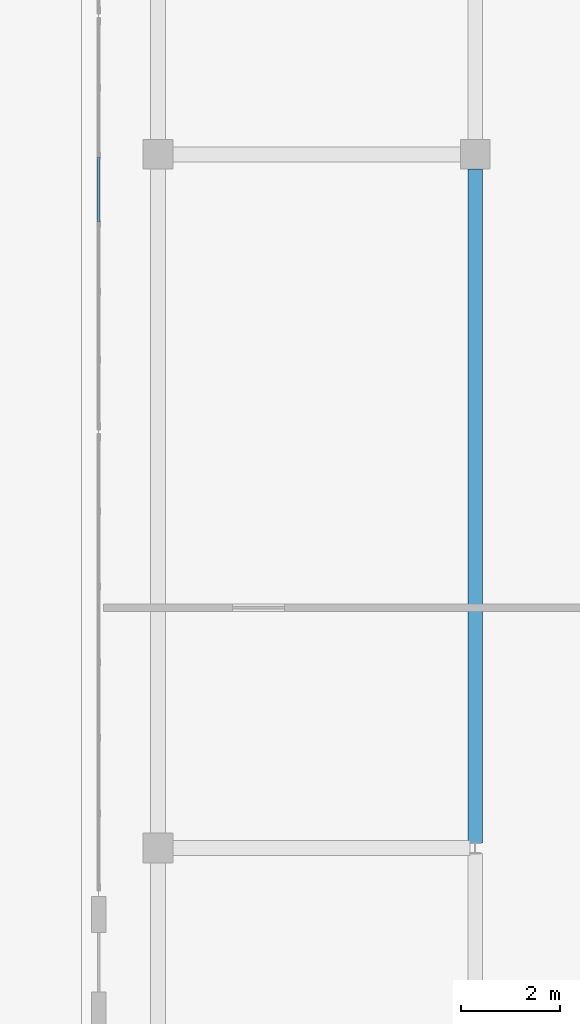
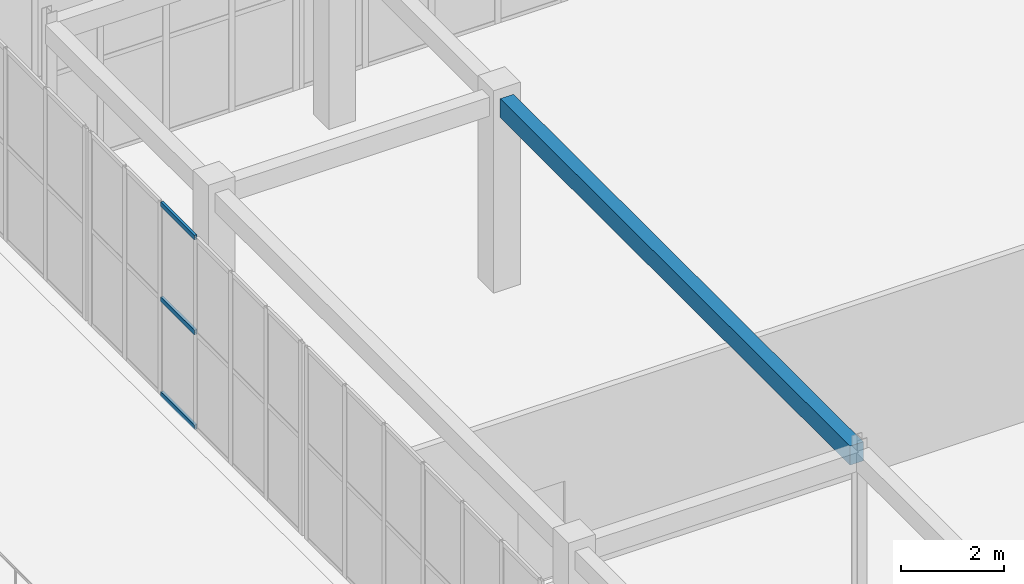
# One storey, part 57 of 158: 3 members, 1 beam, 1 element without a shape of its own.
"""IFC4 building model written with IfcOpenShell, lengths in metres."""

from ifc_helpers import new_model, si_unit, direction, frame, origin, origin_2d, place, context, subcontext, project, spatial, rectangle, hollow_rectangle, extrude, material, layer, layer_set, material_profile, profile_set, type_object, element, aggregate, save


model = new_model("IFC4")

# Units and contexts
model_context = context("Model", 3, precision=1e-05, world=origin(), true_north=direction((0.0, 1.0)))
body_context = subcontext(model_context, "Body", "Model", "MODEL_VIEW")
ifc_project = project(units=[si_unit("LENGTHUNIT", "METRE"), si_unit("AREAUNIT", "SQUARE_METRE"), si_unit("VOLUMEUNIT", "CUBIC_METRE"), si_unit("PLANEANGLEUNIT", "RADIAN"), si_unit("MASSUNIT", "GRAM", prefix="KILO")], contexts=[model_context])

# Site, building, storey
site_placement = place(None, origin())
site = spatial("IfcSite", under=ifc_project, at=site_placement, CompositionType="ELEMENT")
building_placement = place(site_placement, origin())
building = spatial("IfcBuilding", under=site, at=building_placement, Name="Trelvath General Hospital", CompositionType="ELEMENT")
storey_placement = place(building_placement, frame((0.0, 0.0, 8.10009765625)))
storey = spatial("IfcBuildingStorey", under=building, at=storey_placement, Name="L02", CompositionType="ELEMENT", Elevation=8.10009765625)

# Beam
ifc_material_1 = material(Name="Concrete C35/45", Category="concrete")
ifc_material_profile_1 = material_profile(ifc_material_1, rectangle(XDim=0.300048828125, YDim=0.449951171875, at=origin_2d()), Name="RCB300x450")
ifc_profile_set_1 = profile_set([ifc_material_profile_1], Name="Concrete C35/45")
beam_type = type_object("IfcBeamType", Name="Beam RC300x450", PredefinedType="BEAM", material=ifc_profile_set_1)
beam_placement = place(storey_placement, frame((60.800048828125, 58.906005859375, 4.3349609375), z_axis=(0.0, 1.0, 0.0), x_axis=(-1.0, 0.0, 0.0)))
element("IfcBeam", 1, at=beam_placement, inside=storey, type_object=beam_type, Name="Cube Interior Ring Beam CUBE-W-T1 L02", PredefinedType="BEAM", context=body_context, shape_type="SweptSolid", body=[
    extrude(rectangle(XDim=0.300048828125, YDim=0.449951171875, at=origin_2d()), origin(), (0.0, 0.0, 1.0), 13.597900390625),
])

# Curtain wall, members
ifc_material_2 = material(Name="Anodised aluminium and low-E glass", Category="aluminium")
ifc_layer = layer(ifc_material_2, 0.139892578125)
ifc_layer_set = layer_set([ifc_layer], Name="Anodised aluminium and low-E glass")
curtain_wall_type = type_object("IfcCurtainWallType", Name="CW CrystalCube 824 456 14", PredefinedType="USERDEFINED", material=ifc_layer_set)
curtain_wall_placement = place(storey_placement, origin())
curtain_wall = element("IfcCurtainWall", 2, at=curtain_wall_placement, inside=storey, type_object=curtain_wall_type, Name="Crystal Cube Curtain Wall CUBE-W-T1 W6 L02", ObjectType="Unitised Glazed Curtain Wall", PredefinedType="USERDEFINED")
ifc_material_3 = material(Name="Anodised aluminium", Category="aluminium")
ifc_material_profile_2 = material_profile(ifc_material_3, hollow_rectangle(XDim=0.06005859375, YDim=0.110107421875, WallThickness=0.00390625, at=origin_2d()), Name="RHS60x110x4")
ifc_profile_set_2 = profile_set([ifc_material_profile_2], Name="Anodised aluminium")
member_type = type_object("IfcMemberType", Name="CurtainTransom 60x110", PredefinedType="USERDEFINED", material=ifc_profile_set_2)
member_1_placement = place(storey_placement, frame((53.199951171875, 71.429931640625, 0.02978515625), z_axis=(0.0, 1.0, 0.0), x_axis=(-1.0, 0.0, 0.0)))
member_1 = element("IfcMember", 3, at=member_1_placement, type_object=member_type, Name="CW-201 transom 4.1", ObjectType="TRANSOM", PredefinedType="USERDEFINED", context=body_context, shape_type="SweptSolid", body=[
    extrude(hollow_rectangle(XDim=0.06005859375, YDim=0.110107421875, WallThickness=0.00390625, at=origin_2d()), origin(), (0.0, 0.0, 1.0), 1.3134765625),
])
member_2_placement = place(storey_placement, frame((53.199951171875, 71.429931640625, 2.27978515625), z_axis=(0.0, 1.0, 0.0), x_axis=(-1.0, 0.0, 0.0)))
member_2 = element("IfcMember", 4, at=member_2_placement, type_object=member_type, Name="CW-201 transom 4.2", ObjectType="TRANSOM", PredefinedType="USERDEFINED", context=body_context, shape_type="SweptSolid", body=[
    extrude(hollow_rectangle(XDim=0.06005859375, YDim=0.110107421875, WallThickness=0.00390625, at=origin_2d()), origin(), (0.0, 0.0, 1.0), 1.3134765625),
])
member_3_placement = place(storey_placement, frame((53.199951171875, 71.429931640625, 4.52978515625), z_axis=(0.0, 1.0, 0.0), x_axis=(-1.0, 0.0, 0.0)))
member_3 = element("IfcMember", 5, at=member_3_placement, type_object=member_type, Name="CW-201 transom 4.3", ObjectType="TRANSOM", PredefinedType="USERDEFINED", context=body_context, shape_type="SweptSolid", body=[
    extrude(hollow_rectangle(XDim=0.06005859375, YDim=0.110107421875, WallThickness=0.00390625, at=origin_2d()), origin(), (0.0, 0.0, 1.0), 1.3134765625),
])
aggregate(curtain_wall, [member_1, member_2, member_3])

save(model, "model.ifc")
